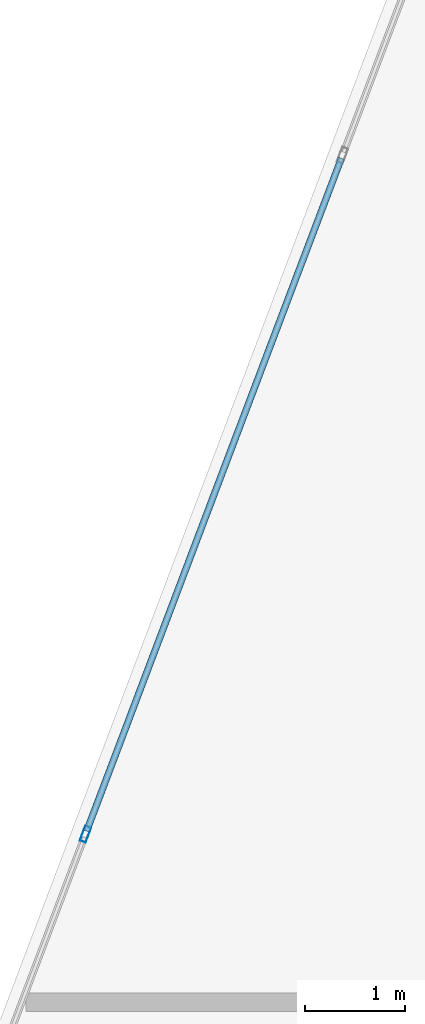
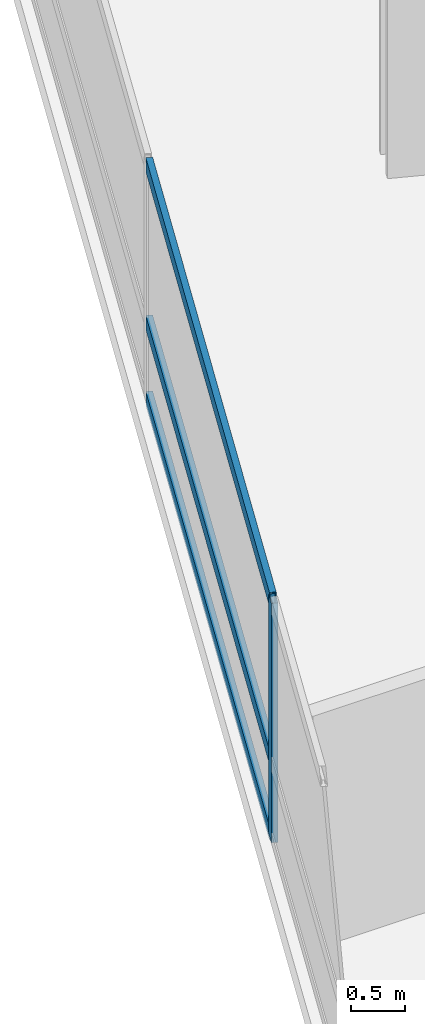
# One storey, part 4 of 24: 4 members, 1 element without a shape of its own.
"""IFC4 building model written with IfcOpenShell, lengths in metres."""

from ifc_helpers import new_model, si_unit, direction, frame, origin, origin_2d, place, context, subcontext, project, spatial, hollow_rectangle, extrude, material, layer, layer_set, material_profile, profile_set, type_object, element, aggregate, save


model = new_model("IFC4")

# Units and contexts
model_context = context("Model", 3, precision=1e-05, world=origin(), true_north=direction((0.0, 1.0)))
body_context = subcontext(model_context, "Body", "Model", "MODEL_VIEW")
ifc_project = project(units=[si_unit("LENGTHUNIT", "METRE"), si_unit("AREAUNIT", "SQUARE_METRE"), si_unit("VOLUMEUNIT", "CUBIC_METRE"), si_unit("PLANEANGLEUNIT", "RADIAN"), si_unit("MASSUNIT", "GRAM", prefix="KILO")], contexts=[model_context])

# Site, building, storey
site_placement = place(None, origin())
site = spatial("IfcSite", under=ifc_project, at=site_placement, CompositionType="ELEMENT")
building_placement = place(site_placement, origin())
building = spatial("IfcBuilding", under=site, at=building_placement, Name="Varnelok Gate Tower", CompositionType="ELEMENT")
storey_placement = place(building_placement, frame((0.0, 0.0, 98.39990234375)))
storey = spatial("IfcBuildingStorey", under=building, at=storey_placement, Name="L24", CompositionType="ELEMENT", Elevation=98.39990234375)

# Curtain wall, members
ifc_material = material(Name="Anodized Aluminum Alloy 6063-T6", Category="aluminium")
ifc_layer = layer(ifc_material, 0.179931640625)
ifc_layer_set = layer_set([ifc_layer], Name="Anodized Aluminum Alloy 6063-T6")
curtain_wall_type = type_object("IfcCurtainWallType", Name="CW3-HOTEL-VISION", PredefinedType="USERDEFINED", material=ifc_layer_set)
curtain_wall_placement = place(storey_placement, origin())
curtain_wall = element("IfcCurtainWall", 1, at=curtain_wall_placement, inside=storey, type_object=curtain_wall_type, Name="L24 West End Vision Curtain Wall", ObjectType="UNITISED CURTAIN WALL", PredefinedType="USERDEFINED")
ifc_material_profile_1 = material_profile(ifc_material, hollow_rectangle(XDim=0.06494140625, YDim=0.159912109375, WallThickness=0.00390625, at=origin_2d()), Name="ALU160X65X4")
ifc_profile_set_1 = profile_set([ifc_material_profile_1], Name="Anodized Aluminum Alloy 6063-T6")
member_type_1 = type_object("IfcMemberType", Name="CW-MULL-160", PredefinedType="MULLION", material=ifc_profile_set_1)
member_1_placement = place(storey_placement, frame((0.508544921875, 28.3359375, 0.0), z_axis=(0.0, 0.0, 1.0), x_axis=(-0.935221323688, 0.354063660545, 0.0)))
member_1 = element("IfcMember", 2, at=member_1_placement, type_object=member_type_1, Name="CW3 mullion 2", PredefinedType="MULLION", context=body_context, shape_type="SweptSolid", body=[
    extrude(hollow_rectangle(XDim=0.06494140625, YDim=0.159912109375, WallThickness=0.00390625, at=origin_2d()), origin(), (0.0, 0.0, 1.0), 2.72998046875),
])
ifc_material_profile_2 = material_profile(ifc_material, hollow_rectangle(XDim=0.06494140625, YDim=0.159912109375, WallThickness=0.00390625, at=origin_2d()), Name="ALU160X65X4")
ifc_profile_set_2 = profile_set([ifc_material_profile_2], Name="Anodized Aluminum Alloy 6063-T6")
member_type_2 = type_object("IfcMemberType", Name="CW-TRAN-160", PredefinedType="USERDEFINED", material=ifc_profile_set_2)
member_2_placement = place(storey_placement, frame((0.52001953125, 28.3662109375, 0.03271484375), z_axis=(0.354078724634, 0.935215620465, 0.0), x_axis=(-0.935215620465, 0.354078724634, 0.0)))
member_2 = element("IfcMember", 3, at=member_2_placement, type_object=member_type_2, Name="CW3 transom 2.1", ObjectType="TRANSOM", PredefinedType="USERDEFINED", context=body_context, shape_type="SweptSolid", body=[
    extrude(hollow_rectangle(XDim=0.06494140625, YDim=0.159912109375, WallThickness=0.00390625, at=origin_2d()), origin(), (0.0, 0.0, 1.0), 7.175048828125),
])
member_3_placement = place(storey_placement, frame((0.52001953125, 28.3662109375, 0.900146484375), z_axis=(0.354078724634, 0.935215620465, 0.0), x_axis=(-0.935215620465, 0.354078724634, 0.0)))
member_3 = element("IfcMember", 4, at=member_3_placement, type_object=member_type_2, Name="CW3 transom 2.2", ObjectType="TRANSOM", PredefinedType="USERDEFINED", context=body_context, shape_type="SweptSolid", body=[
    extrude(hollow_rectangle(XDim=0.06494140625, YDim=0.159912109375, WallThickness=0.00390625, at=origin_2d()), origin(), (0.0, 0.0, 1.0), 7.175048828125),
])
member_4_placement = place(storey_placement, frame((0.52001953125, 28.3662109375, 2.697509765625), z_axis=(0.354078724634, 0.935215620465, 0.0), x_axis=(-0.935215620465, 0.354078724634, 0.0)))
member_4 = element("IfcMember", 5, at=member_4_placement, type_object=member_type_2, Name="CW3 transom 2.3", ObjectType="TRANSOM", PredefinedType="USERDEFINED", context=body_context, shape_type="SweptSolid", body=[
    extrude(hollow_rectangle(XDim=0.06494140625, YDim=0.159912109375, WallThickness=0.00390625, at=origin_2d()), origin(), (0.0, 0.0, 1.0), 7.175048828125),
])
aggregate(curtain_wall, [member_1, member_2, member_3, member_4])

save(model, "model.ifc")
